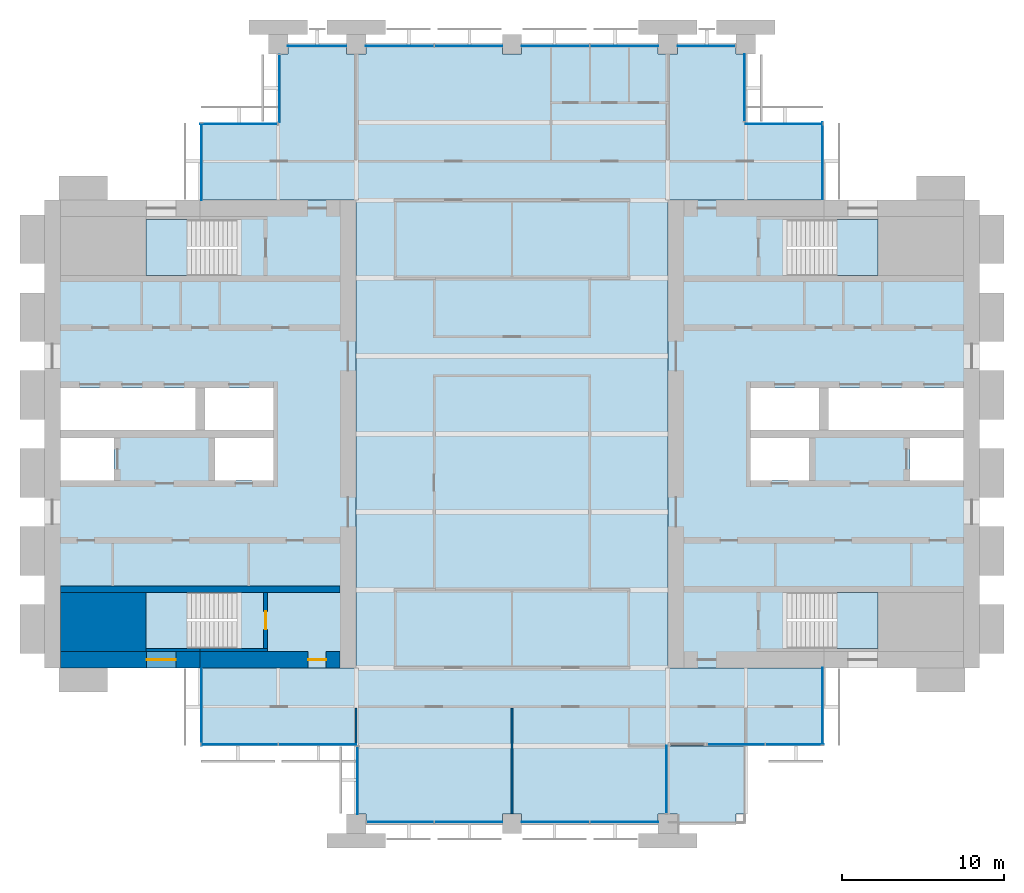
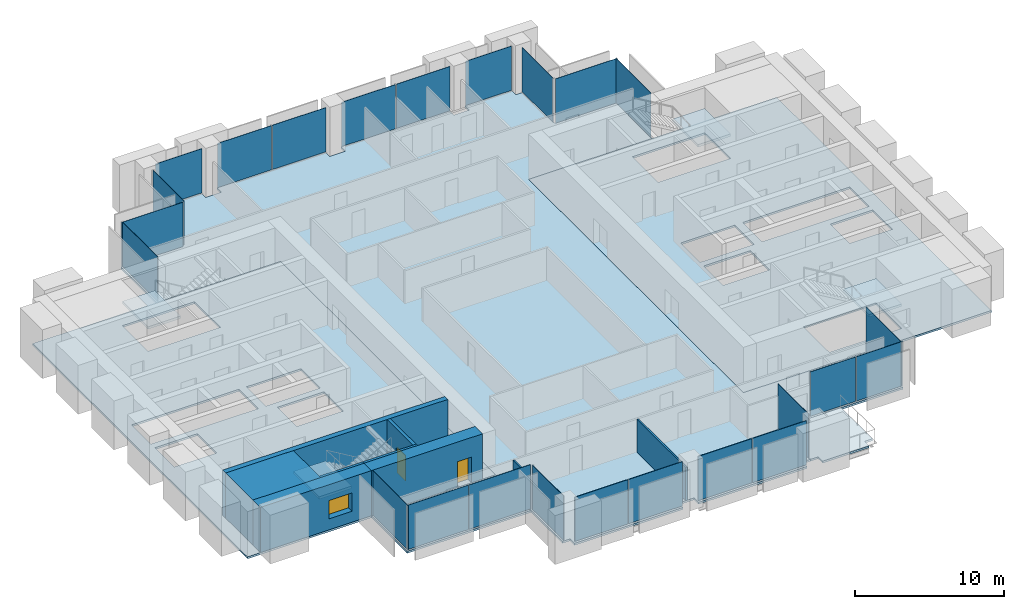
# One storey, part 7 of 13: 24 plates, 9 walls, 8 slabs, 2 doors, 1 window, 3 openings, 18 elements without a shape of their own.
"""IFC4 building model written with IfcOpenShell, lengths in metres."""

from ifc_helpers import new_model, si_unit, direction, frame, frame_2d, origin, origin_2d, place, context, subcontext, project, spatial, polyline, rectangle, outline, extrude, material, layer, layer_set, type_object, element, fill, aggregate, save


model = new_model("IFC4")

# Units and contexts
model_context = context("Model", 3, precision=1e-05, world=origin(), true_north=direction((0.0, 1.0)))
body_context = subcontext(model_context, "Body", "Model", "MODEL_VIEW")
ifc_project = project(units=[si_unit("LENGTHUNIT", "METRE"), si_unit("AREAUNIT", "SQUARE_METRE"), si_unit("VOLUMEUNIT", "CUBIC_METRE"), si_unit("PLANEANGLEUNIT", "RADIAN"), si_unit("MASSUNIT", "GRAM", prefix="KILO")], contexts=[model_context])

# Site, building, storey
site_placement = place(None, origin())
site = spatial("IfcSite", under=ifc_project, at=site_placement, CompositionType="ELEMENT")
building_placement = place(site_placement, origin())
building = spatial("IfcBuilding", under=site, at=building_placement, Name="Baori Bourse Tower", CompositionType="ELEMENT")
storey_placement = place(building_placement, frame((0.0, 0.0, 172.10009765625)))
storey = spatial("IfcBuildingStorey", under=building, at=storey_placement, Name="L38", CompositionType="ELEMENT", Elevation=172.10009765625)

# Curtain wall, plates
ifc_material_1 = material(Name="Pale anodised aluminium", Category="aluminium")
curtain_wall_type_1 = type_object("IfcCurtainWallType", Name="CW1 Curtain wall", PredefinedType="NOTDEFINED", material=ifc_material_1)
curtain_wall_1_placement = place(storey_placement, origin())
curtain_wall_1 = element("IfcCurtainWall", 1, at=curtain_wall_1_placement, inside=storey, type_object=curtain_wall_type_1, Name="Curtain wall CW1 L38 4", PredefinedType="NOTDEFINED")
ifc_material_2 = material(Name="Clear glass", Category="glass")
ifc_layer_1 = layer(ifc_material_2, 0.033935546875)
ifc_layer_set_1 = layer_set([ifc_layer_1], Name="CW1 Curtain wall panel")
plate_type_1 = type_object("IfcPlateType", Name="CW1 Curtain wall panel", PredefinedType="CURTAIN_PANEL", material=ifc_layer_set_1)
plate_1_placement = place(storey_placement, frame((40.77001953125, 47.89990234375, 0.079833984375), z_axis=(0.0, 0.0, 1.0), x_axis=(-1.0, 0.0, 0.0)))
plate_1 = element("IfcPlate", 2, at=plate_1_placement, type_object=plate_type_1, Name="Curtain wall CW1 panel", PredefinedType="CURTAIN_PANEL", context=body_context, shape_type="SweptSolid", body=[
    extrude(rectangle(XDim=3.5400390625, YDim=0.033935546875, at=origin_2d()), origin(), (0.0, 0.0, 1.0), 3.6201171875),
])
plate_2_placement = place(storey_placement, frame((35.715087890625, 47.89990234375, 0.079833984375), z_axis=(0.0, 0.0, 1.0), x_axis=(-1.0, 0.0, 0.0)))
plate_2 = element("IfcPlate", 3, at=plate_2_placement, type_object=plate_type_1, Name="Curtain wall CW1 panel", PredefinedType="CURTAIN_PANEL", context=body_context, shape_type="SweptSolid", body=[
    extrude(rectangle(XDim=4.169921875, YDim=0.033935546875, at=origin_2d()), origin(), (0.0, 0.0, 1.0), 3.6201171875),
])
plate_3_placement = place(storey_placement, frame((31.485107421875, 47.89990234375, 0.079833984375), z_axis=(0.0, 0.0, 1.0), x_axis=(-1.0, 0.0, 0.0)))
plate_3 = element("IfcPlate", 4, at=plate_3_placement, type_object=plate_type_1, Name="Curtain wall CW1 panel", PredefinedType="CURTAIN_PANEL", context=body_context, shape_type="SweptSolid", body=[
    extrude(rectangle(XDim=4.169921875, YDim=0.033935546875, at=origin_2d()), origin(), (0.0, 0.0, 1.0), 3.6201171875),
])
plate_4_placement = place(storey_placement, frame((26.114990234375, 47.89990234375, 0.079833984375), z_axis=(0.0, 0.0, 1.0), x_axis=(-1.0, 0.0, 0.0)))
plate_4 = element("IfcPlate", 5, at=plate_4_placement, type_object=plate_type_1, Name="Curtain wall CW1 panel", PredefinedType="CURTAIN_PANEL", context=body_context, shape_type="SweptSolid", body=[
    extrude(rectangle(XDim=4.169921875, YDim=0.033935546875, at=origin_2d()), origin(), (0.0, 0.0, 1.0), 3.6201171875),
])
plate_5_placement = place(storey_placement, frame((21.885009765625, 47.89990234375, 0.079833984375), z_axis=(0.0, 0.0, 1.0), x_axis=(-1.0, 0.0, 0.0)))
plate_5 = element("IfcPlate", 6, at=plate_5_placement, type_object=plate_type_1, Name="Curtain wall CW1 panel", PredefinedType="CURTAIN_PANEL", context=body_context, shape_type="SweptSolid", body=[
    extrude(rectangle(XDim=4.169921875, YDim=0.033935546875, at=origin_2d()), origin(), (0.0, 0.0, 1.0), 3.6201171875),
])
plate_6_placement = place(storey_placement, frame((16.800048828125, 47.89990234375, 0.079833984375), z_axis=(0.0, 0.0, 1.0), x_axis=(-1.0, 0.0, 0.0)))
plate_6 = element("IfcPlate", 7, at=plate_6_placement, type_object=plate_type_1, Name="Curtain wall CW1 panel", PredefinedType="CURTAIN_PANEL", context=body_context, shape_type="SweptSolid", body=[
    extrude(rectangle(XDim=3.60009765625, YDim=0.033935546875, at=origin_2d()), origin(), (0.0, 0.0, 1.0), 3.6201171875),
])
aggregate(curtain_wall_1, [plate_1, plate_2, plate_3, plate_4, plate_5, plate_6])

curtain_wall_2_placement = place(storey_placement, origin())
curtain_wall_2 = element("IfcCurtainWall", 8, at=curtain_wall_2_placement, inside=storey, type_object=curtain_wall_type_1, Name="Curtain wall CW1 L38 11", PredefinedType="NOTDEFINED")
plate_7_placement = place(storey_placement, frame((21.9150390625, 0.10009765625, 0.079833984375), z_axis=(0.0, 0.0, 1.0), x_axis=(1.0, 0.0, 0.0)))
plate_7 = element("IfcPlate", 9, at=plate_7_placement, type_object=plate_type_1, Name="Curtain wall CW1 panel", PredefinedType="CURTAIN_PANEL", context=body_context, shape_type="SweptSolid", body=[
    extrude(rectangle(XDim=4.110107421875, YDim=0.033935546875, at=origin_2d()), origin(), (0.0, 0.0, 1.0), 3.6201171875),
])
plate_8_placement = place(storey_placement, frame((26.114990234375, 0.10009765625, 0.079833984375), z_axis=(0.0, 0.0, 1.0), x_axis=(1.0, 0.0, 0.0)))
plate_8 = element("IfcPlate", 10, at=plate_8_placement, type_object=plate_type_1, Name="Curtain wall CW1 panel", PredefinedType="CURTAIN_PANEL", context=body_context, shape_type="SweptSolid", body=[
    extrude(rectangle(XDim=4.169921875, YDim=0.033935546875, at=origin_2d()), origin(), (0.0, 0.0, 1.0), 3.6201171875),
])
plate_9_placement = place(storey_placement, frame((31.485107421875, 0.10009765625, 0.079833984375), z_axis=(0.0, 0.0, 1.0), x_axis=(1.0, 0.0, 0.0)))
plate_9 = element("IfcPlate", 11, at=plate_9_placement, type_object=plate_type_1, Name="Curtain wall CW1 panel", PredefinedType="CURTAIN_PANEL", context=body_context, shape_type="SweptSolid", body=[
    extrude(rectangle(XDim=4.169921875, YDim=0.033935546875, at=origin_2d()), origin(), (0.0, 0.0, 1.0), 3.6201171875),
])
plate_10_placement = place(storey_placement, frame((35.715087890625, 0.10009765625, 0.079833984375), z_axis=(0.0, 0.0, 1.0), x_axis=(1.0, 0.0, 0.0)))
plate_10 = element("IfcPlate", 12, at=plate_10_placement, type_object=plate_type_1, Name="Curtain wall CW1 panel", PredefinedType="CURTAIN_PANEL", context=body_context, shape_type="SweptSolid", body=[
    extrude(rectangle(XDim=4.169921875, YDim=0.033935546875, at=origin_2d()), origin(), (0.0, 0.0, 1.0), 3.6201171875),
])
aggregate(curtain_wall_2, [plate_7, plate_8, plate_9, plate_10])

# Curtain wall, plate
ifc_material_3 = material(Name="Pale anodised aluminium", Category="aluminium")
curtain_wall_type_2 = type_object("IfcCurtainWallType", Name="CW2 Curtain wall", PredefinedType="NOTDEFINED", material=ifc_material_3)
curtain_wall_3_placement = place(storey_placement, origin())
curtain_wall_3 = element("IfcCurtainWall", 13, at=curtain_wall_3_placement, inside=storey, type_object=curtain_wall_type_2, Name="Curtain wall CW2 L38 1", PredefinedType="NOTDEFINED")
ifc_material_4 = material(Name="Clear glass", Category="glass")
ifc_layer_2 = layer(ifc_material_4, 0.030029296875)
ifc_layer_set_2 = layer_set([ifc_layer_2], Name="CW2 Curtain wall panel")
plate_type_2 = type_object("IfcPlateType", Name="CW2 Curtain wall panel", PredefinedType="CURTAIN_PANEL", material=ifc_layer_set_2)
plate_11_placement = place(storey_placement, frame((47.909912109375, 40.827392578125, 0.070068359375), z_axis=(0.0, 0.0, 1.0), x_axis=(0.0, 1.0, 0.0)))
plate_11 = element("IfcPlate", 14, at=plate_11_placement, type_object=plate_type_2, Name="Curtain wall CW2 panel", PredefinedType="CURTAIN_PANEL", context=body_context, shape_type="SweptSolid", body=[
    extrude(rectangle(XDim=4.7451171875, YDim=0.030029296875, at=origin_2d()), origin(), (0.0, 0.0, 1.0), 3.6298828125),
])
aggregate(curtain_wall_3, [plate_11])

curtain_wall_4_placement = place(storey_placement, origin())
curtain_wall_4 = element("IfcCurtainWall", 15, at=curtain_wall_4_placement, inside=storey, type_object=curtain_wall_type_2, Name="Curtain wall CW2 L38 2", PredefinedType="NOTDEFINED")
plate_12_placement = place(storey_placement, frame((45.572509765625, 43.110107421875, 0.070068359375), z_axis=(0.0, 0.0, 1.0), x_axis=(-1.0, 0.0, 0.0)))
plate_12 = element("IfcPlate", 16, at=plate_12_placement, type_object=plate_type_2, Name="Curtain wall CW2 panel", PredefinedType="CURTAIN_PANEL", context=body_context, shape_type="SweptSolid", body=[
    extrude(rectangle(XDim=4.7451171875, YDim=0.030029296875, at=origin_2d()), origin(), (0.0, 0.0, 1.0), 3.6298828125),
])
aggregate(curtain_wall_4, [plate_12])

curtain_wall_5_placement = place(storey_placement, origin())
curtain_wall_5 = element("IfcCurtainWall", 17, at=curtain_wall_5_placement, inside=storey, type_object=curtain_wall_type_2, Name="Curtain wall CW2 L38 3", PredefinedType="NOTDEFINED")
plate_13_placement = place(storey_placement, frame((43.110107421875, 45.327392578125, 0.070068359375), z_axis=(0.0, 0.0, 1.0), x_axis=(0.0, 1.0, 0.0)))
plate_13 = element("IfcPlate", 18, at=plate_13_placement, type_object=plate_type_2, Name="Curtain wall CW2 panel", PredefinedType="CURTAIN_PANEL", context=body_context, shape_type="SweptSolid", body=[
    extrude(rectangle(XDim=4.14501953125, YDim=0.030029296875, at=origin_2d()), origin(), (0.0, 0.0, 1.0), 3.6298828125),
])
aggregate(curtain_wall_5, [plate_13])

curtain_wall_6_placement = place(storey_placement, origin())
curtain_wall_6 = element("IfcCurtainWall", 19, at=curtain_wall_6_placement, inside=storey, type_object=curtain_wall_type_2, Name="Curtain wall CW2 L38 5", PredefinedType="NOTDEFINED")
plate_14_placement = place(storey_placement, frame((14.489990234375, 45.2724609375, 0.070068359375), z_axis=(0.0, 0.0, 1.0), x_axis=(0.0, -1.0, 0.0)))
plate_14 = element("IfcPlate", 20, at=plate_14_placement, type_object=plate_type_2, Name="Curtain wall CW2 panel", PredefinedType="CURTAIN_PANEL", context=body_context, shape_type="SweptSolid", body=[
    extrude(rectangle(XDim=4.14501953125, YDim=0.030029296875, at=origin_2d()), origin(), (0.0, 0.0, 1.0), 3.6298828125),
])
aggregate(curtain_wall_6, [plate_14])

curtain_wall_7_placement = place(storey_placement, origin())
curtain_wall_7 = element("IfcCurtainWall", 21, at=curtain_wall_7_placement, inside=storey, type_object=curtain_wall_type_2, Name="Curtain wall CW2 L38 6", PredefinedType="NOTDEFINED")
plate_15_placement = place(storey_placement, frame((11.972412109375, 43.110107421875, 0.070068359375), z_axis=(0.0, 0.0, 1.0), x_axis=(-1.0, 0.0, 0.0)))
plate_15 = element("IfcPlate", 22, at=plate_15_placement, type_object=plate_type_2, Name="Curtain wall CW2 panel", PredefinedType="CURTAIN_PANEL", context=body_context, shape_type="SweptSolid", body=[
    extrude(rectangle(XDim=4.7451171875, YDim=0.030029296875, at=origin_2d()), origin(), (0.0, 0.0, 1.0), 3.6298828125),
])
aggregate(curtain_wall_7, [plate_15])

curtain_wall_8_placement = place(storey_placement, origin())
curtain_wall_8 = element("IfcCurtainWall", 23, at=curtain_wall_8_placement, inside=storey, type_object=curtain_wall_type_2, Name="Curtain wall CW2 L38 7", PredefinedType="NOTDEFINED")
plate_16_placement = place(storey_placement, frame((9.68994140625, 40.7724609375, 0.070068359375), z_axis=(0.0, 0.0, 1.0), x_axis=(0.0, -1.0, 0.0)))
plate_16 = element("IfcPlate", 24, at=plate_16_placement, type_object=plate_type_2, Name="Curtain wall CW2 panel", PredefinedType="CURTAIN_PANEL", context=body_context, shape_type="SweptSolid", body=[
    extrude(rectangle(XDim=4.7451171875, YDim=0.030029296875, at=origin_2d()), origin(), (0.0, 0.0, 1.0), 3.6298828125),
])
aggregate(curtain_wall_8, [plate_16])

curtain_wall_9_placement = place(storey_placement, origin())
curtain_wall_9 = element("IfcCurtainWall", 25, at=curtain_wall_9_placement, inside=storey, type_object=curtain_wall_type_2, Name="Curtain wall CW2 L38 8", PredefinedType="NOTDEFINED")
plate_17_placement = place(storey_placement, frame((9.68994140625, 7.172607421875, 0.070068359375), z_axis=(0.0, 0.0, 1.0), x_axis=(0.0, -1.0, 0.0)))
plate_17 = element("IfcPlate", 26, at=plate_17_placement, type_object=plate_type_2, Name="Curtain wall CW2 panel", PredefinedType="CURTAIN_PANEL", context=body_context, shape_type="SweptSolid", body=[
    extrude(rectangle(XDim=4.7451171875, YDim=0.030029296875, at=origin_2d()), origin(), (0.0, 0.0, 1.0), 3.6298828125),
])
aggregate(curtain_wall_9, [plate_17])

# Curtain wall, plates
curtain_wall_10_placement = place(storey_placement, origin())
curtain_wall_10 = element("IfcCurtainWall", 27, at=curtain_wall_10_placement, inside=storey, type_object=curtain_wall_type_2, Name="Curtain wall CW2 L38 9", PredefinedType="NOTDEFINED")
plate_18_placement = place(storey_placement, frame((12.013671875, 4.889892578125, 0.070068359375), z_axis=(0.0, 0.0, 1.0), x_axis=(1.0, 0.0, 0.0)))
plate_18 = element("IfcPlate", 28, at=plate_18_placement, type_object=plate_type_2, Name="Curtain wall CW2 panel", PredefinedType="CURTAIN_PANEL", context=body_context, shape_type="SweptSolid", body=[
    extrude(rectangle(XDim=4.717529296875, YDim=0.030029296875, at=origin_2d()), origin(), (0.0, 0.0, 1.0), 3.6298828125),
])
plate_19_placement = place(storey_placement, frame((16.813720703125, 4.889892578125, 0.070068359375), z_axis=(0.0, 0.0, 1.0), x_axis=(1.0, 0.0, 0.0)))
plate_19 = element("IfcPlate", 29, at=plate_19_placement, type_object=plate_type_2, Name="Curtain wall CW2 panel", PredefinedType="CURTAIN_PANEL", context=body_context, shape_type="SweptSolid", body=[
    extrude(rectangle(XDim=4.7724609375, YDim=0.030029296875, at=origin_2d()), origin(), (0.0, 0.0, 1.0), 3.6298828125),
])
aggregate(curtain_wall_10, [plate_18, plate_19])

# Curtain wall, plate
curtain_wall_11_placement = place(storey_placement, origin())
curtain_wall_11 = element("IfcCurtainWall", 30, at=curtain_wall_11_placement, inside=storey, type_object=curtain_wall_type_2, Name="Curtain wall CW2 L38 10", PredefinedType="NOTDEFINED")
plate_20_placement = place(storey_placement, frame((19.2900390625, 2.672607421875, 0.070068359375), z_axis=(0.0, 0.0, 1.0), x_axis=(0.0, -1.0, 0.0)))
plate_20 = element("IfcPlate", 31, at=plate_20_placement, type_object=plate_type_2, Name="Curtain wall CW2 panel", PredefinedType="CURTAIN_PANEL", context=body_context, shape_type="SweptSolid", body=[
    extrude(rectangle(XDim=4.14501953125, YDim=0.030029296875, at=origin_2d()), origin(), (0.0, 0.0, 1.0), 3.6298828125),
])
aggregate(curtain_wall_11, [plate_20])

curtain_wall_12_placement = place(storey_placement, origin())
curtain_wall_12 = element("IfcCurtainWall", 32, at=curtain_wall_12_placement, inside=storey, type_object=curtain_wall_type_2, Name="Curtain wall CW2 L38 12", PredefinedType="NOTDEFINED")
plate_21_placement = place(storey_placement, frame((38.31005859375, 2.7275390625, 0.070068359375), z_axis=(0.0, 0.0, 1.0), x_axis=(0.0, 1.0, 0.0)))
plate_21 = element("IfcPlate", 33, at=plate_21_placement, type_object=plate_type_2, Name="Curtain wall CW2 panel", PredefinedType="CURTAIN_PANEL", context=body_context, shape_type="SweptSolid", body=[
    extrude(rectangle(XDim=4.14501953125, YDim=0.030029296875, at=origin_2d()), origin(), (0.0, 0.0, 1.0), 3.6298828125),
])
aggregate(curtain_wall_12, [plate_21])

# Curtain wall, plates
curtain_wall_13_placement = place(storey_placement, origin())
curtain_wall_13 = element("IfcCurtainWall", 34, at=curtain_wall_13_placement, inside=storey, type_object=curtain_wall_type_2, Name="Curtain wall CW2 L38 13", PredefinedType="NOTDEFINED")
plate_22_placement = place(storey_placement, frame((42.61376953125, 4.889892578125, 0.070068359375), z_axis=(0.0, 0.0, 1.0), x_axis=(1.0, 0.0, 0.0)))
plate_22 = element("IfcPlate", 35, at=plate_22_placement, type_object=plate_type_2, Name="Curtain wall CW2 panel", PredefinedType="CURTAIN_PANEL", context=body_context, shape_type="SweptSolid", body=[
    extrude(rectangle(XDim=3.517578125, YDim=0.030029296875, at=origin_2d()), origin(), (0.0, 0.0, 1.0), 3.6298828125),
])
plate_23_placement = place(storey_placement, frame((46.2138671875, 4.889892578125, 0.070068359375), z_axis=(0.0, 0.0, 1.0), x_axis=(1.0, 0.0, 0.0)))
plate_23 = element("IfcPlate", 36, at=plate_23_placement, type_object=plate_type_2, Name="Curtain wall CW2 panel", PredefinedType="CURTAIN_PANEL", context=body_context, shape_type="SweptSolid", body=[
    extrude(rectangle(XDim=3.572509765625, YDim=0.030029296875, at=origin_2d()), origin(), (0.0, 0.0, 1.0), 3.6298828125),
])
aggregate(curtain_wall_13, [plate_22, plate_23])

# Curtain wall, plate
curtain_wall_14_placement = place(storey_placement, origin())
curtain_wall_14 = element("IfcCurtainWall", 37, at=curtain_wall_14_placement, inside=storey, type_object=curtain_wall_type_2, Name="Curtain wall CW2 L38 14", PredefinedType="NOTDEFINED")
plate_24_placement = place(storey_placement, frame((47.909912109375, 7.2275390625, 0.070068359375), z_axis=(0.0, 0.0, 1.0), x_axis=(0.0, 1.0, 0.0)))
plate_24 = element("IfcPlate", 38, at=plate_24_placement, type_object=plate_type_2, Name="Curtain wall CW2 panel", PredefinedType="CURTAIN_PANEL", context=body_context, shape_type="SweptSolid", body=[
    extrude(rectangle(XDim=4.7451171875, YDim=0.030029296875, at=origin_2d()), origin(), (0.0, 0.0, 1.0), 3.6298828125),
])
aggregate(curtain_wall_14, [plate_24])

# Slabs
ifc_material_5 = material(Name="Concrete f'c 50 MPa", Category="concrete")
ifc_layer_3 = layer(ifc_material_5, 0.159912109375)
ifc_layer_set_3 = layer_set([ifc_layer_3], Name="Core slab 160")
slab_type_1 = type_object("IfcSlabType", Name="Core slab 160", PredefinedType="FLOOR", material=ifc_layer_set_3)
slab_1_placement = place(storey_placement, frame((0.0, 0.0, -0.16015625)))
element("IfcSlab", 39, at=slab_1_placement, inside=storey, type_object=slab_type_1, Name="Core floor slab W01", PredefinedType="FLOOR", context=body_context, shape_type="SweptSolid", body=[
    extrude(outline(polyline([(0.0, 38.39990234375), (0.0, 9.60009765625), (19.199951171875, 9.60009765625), (19.199951171875, 38.39990234375), (0.0, 38.39990234375)]), holes=[polyline([(10.5, 21.14990234375), (10.5, 23.75), (14.10009765625, 23.75), (14.10009765625, 21.14990234375), (10.5, 21.14990234375)]), polyline([(14.10009765625, 24.25), (9.89990234375, 24.25), (9.89990234375, 26.85009765625), (14.10009765625, 26.85009765625), (14.10009765625, 24.25)]), polyline([(6.25, 14.25), (11.84912109375, 14.25), (11.84912109375, 10.800048828125), (6.25, 10.800048828125), (6.25, 14.25)]), polyline([(11.84912109375, 37.199951171875), (11.84912109375, 33.75), (6.25, 33.75), (6.25, 37.199951171875), (11.84912109375, 37.199951171875)]), polyline([(1.0, 26.85009765625), (9.300048828125, 26.85009765625), (9.300048828125, 24.25), (1.0, 24.25), (1.0, 26.85009765625)]), polyline([(4.300048828125, 23.75), (4.300048828125, 21.14990234375), (1.0, 21.14990234375), (1.0, 23.75), (4.300048828125, 23.75)])]), origin(), (0.0, 0.0, 1.0), 0.16015625),
])
slab_2_placement = place(storey_placement, frame((0.0, 0.0, -0.16015625)))
element("IfcSlab", 40, at=slab_2_placement, inside=storey, type_object=slab_type_1, Name="Core floor slab E01", PredefinedType="FLOOR", context=body_context, shape_type="SweptSolid", body=[
    extrude(outline(polyline([(57.60009765625, 38.39990234375), (38.39990234375, 38.39990234375), (38.39990234375, 9.60009765625), (57.60009765625, 9.60009765625), (57.60009765625, 38.39990234375)]), holes=[polyline([(56.60009765625, 21.14990234375), (53.300048828125, 21.14990234375), (53.300048828125, 23.75), (56.60009765625, 23.75), (56.60009765625, 21.14990234375)]), polyline([(56.60009765625, 26.85009765625), (56.60009765625, 24.25), (48.300048828125, 24.25), (48.300048828125, 26.85009765625), (56.60009765625, 26.85009765625)]), polyline([(45.750732421875, 14.25), (51.35009765625, 14.25), (51.35009765625, 10.800048828125), (45.750732421875, 10.800048828125), (45.750732421875, 14.25)]), polyline([(51.35009765625, 37.199951171875), (51.35009765625, 33.75), (45.750732421875, 33.75), (45.750732421875, 37.199951171875), (51.35009765625, 37.199951171875)]), polyline([(43.5, 24.25), (43.5, 26.85009765625), (47.699951171875, 26.85009765625), (47.699951171875, 24.25), (43.5, 24.25)]), polyline([(43.5, 23.75), (47.10009765625, 23.75), (47.10009765625, 21.14990234375), (43.5, 21.14990234375), (43.5, 23.75)])]), origin(), (0.0, 0.0, 1.0), 0.16015625),
])

# Stair, slab
ifc_material_6 = material(Name="Concrete f'c 50 MPa", Category="concrete")
stair_type = type_object("IfcStairType", Name="Core stair", PredefinedType="HALF_TURN_STAIR", material=ifc_material_6)
stair_1_placement = place(storey_placement, origin())
stair_1 = element("IfcStair", 41, at=stair_1_placement, inside=storey, type_object=stair_type, Name="L38 Stair WA", PredefinedType="HALF_TURN_STAIR")
ifc_material_7 = material(Name="Concrete f'c 50 MPa", Category="concrete")
slab_type_2 = type_object("IfcSlabType", Name="Core stair landing", PredefinedType="LANDING", material=ifc_material_7)
slab_3_placement = place(storey_placement, frame((0.0, 0.0, 1.7998046875)))
slab_3 = element("IfcSlab", 42, at=slab_3_placement, type_object=slab_type_2, Name="ST1 landing 1", PredefinedType="LANDING", context=body_context, shape_type="SweptSolid", body=[
    extrude(outline(polyline([(8.77001953125, 14.25), (6.25, 14.25), (6.25, 10.800048828125), (8.77001953125, 10.800048828125), (8.77001953125, 14.25)])), origin(), (0.0, 0.0, 1.0), 0.2001953125),
])
aggregate(stair_1, [slab_3])

stair_2_placement = place(storey_placement, origin())
stair_2 = element("IfcStair", 43, at=stair_2_placement, inside=storey, type_object=stair_type, Name="L38 Stair WB", PredefinedType="HALF_TURN_STAIR")
slab_4_placement = place(storey_placement, frame((0.0, 0.0, 1.7998046875)))
slab_4 = element("IfcSlab", 44, at=slab_4_placement, type_object=slab_type_2, Name="ST2 landing 1", PredefinedType="LANDING", context=body_context, shape_type="SweptSolid", body=[
    extrude(outline(polyline([(8.77001953125, 37.199951171875), (6.25, 37.199951171875), (6.25, 33.75), (8.77001953125, 33.75), (8.77001953125, 37.199951171875)])), origin(), (0.0, 0.0, 1.0), 0.2001953125),
])
aggregate(stair_2, [slab_4])

stair_3_placement = place(storey_placement, origin())
stair_3 = element("IfcStair", 45, at=stair_3_placement, inside=storey, type_object=stair_type, Name="L38 Stair EA", PredefinedType="HALF_TURN_STAIR")
slab_5_placement = place(storey_placement, frame((0.0, 0.0, 1.7998046875)))
slab_5 = element("IfcSlab", 46, at=slab_5_placement, type_object=slab_type_2, Name="ST3 landing 1", PredefinedType="LANDING", context=body_context, shape_type="SweptSolid", body=[
    extrude(outline(polyline([(48.830078125, 10.800048828125), (51.35009765625, 10.800048828125), (51.35009765625, 14.25), (48.830078125, 14.25), (48.830078125, 10.800048828125)])), origin(), (0.0, 0.0, 1.0), 0.2001953125),
])
aggregate(stair_3, [slab_5])

stair_4_placement = place(storey_placement, origin())
stair_4 = element("IfcStair", 47, at=stair_4_placement, inside=storey, type_object=stair_type, Name="L38 Stair EB", PredefinedType="HALF_TURN_STAIR")
slab_6_placement = place(storey_placement, frame((0.0, 0.0, 1.7998046875)))
slab_6 = element("IfcSlab", 48, at=slab_6_placement, type_object=slab_type_2, Name="ST4 landing 1", PredefinedType="LANDING", context=body_context, shape_type="SweptSolid", body=[
    extrude(outline(polyline([(48.830078125, 33.75), (51.35009765625, 33.75), (51.35009765625, 37.199951171875), (48.830078125, 37.199951171875), (48.830078125, 33.75)])), origin(), (0.0, 0.0, 1.0), 0.2001953125),
])
aggregate(stair_4, [slab_6])

# Slabs
ifc_material_8 = material(Name="Concrete f'c 40 MPa", Category="concrete")
ifc_layer_4 = layer(ifc_material_8, 0.159912109375)
ifc_layer_set_4 = layer_set([ifc_layer_4], Name="Floor slab 160")
slab_type_3 = type_object("IfcSlabType", Name="Floor slab 160", PredefinedType="FLOOR", material=ifc_layer_set_4)
slab_7_placement = place(storey_placement, frame((0.0, 0.0, -0.16015625)))
element("IfcSlab", 49, at=slab_7_placement, inside=storey, type_object=slab_type_3, Name="Floor slab L38", PredefinedType="FLOOR", context=body_context, shape_type="SweptSolid", body=[
    extrude(outline(polyline([(19.199951171875, 4.800048828125), (9.60009765625, 4.800048828125), (9.60009765625, 9.60009765625), (19.199951171875, 9.60009765625), (19.199951171875, 38.39990234375), (9.60009765625, 38.39990234375), (9.60009765625, 43.199951171875), (14.39990234375, 43.199951171875), (14.39990234375, 47.39990234375), (15.0, 47.39990234375), (15.0, 48.0), (18.60009765625, 48.0), (18.60009765625, 47.39990234375), (19.800048828125, 47.39990234375), (19.800048828125, 48.0), (28.199951171875, 48.0), (28.199951171875, 47.39990234375), (29.39990234375, 47.39990234375), (29.39990234375, 48.0), (37.800048828125, 48.0), (37.800048828125, 47.39990234375), (39.0, 47.39990234375), (39.0, 48.0), (42.60009765625, 48.0), (42.60009765625, 47.39990234375), (43.199951171875, 47.39990234375), (43.199951171875, 43.199951171875), (48.0, 43.199951171875), (48.0, 38.39990234375), (38.39990234375, 38.39990234375), (38.39990234375, 9.60009765625), (48.0, 9.60009765625), (48.0, 4.800048828125), (38.39990234375, 4.800048828125), (38.39990234375, 0.60009765625), (37.800048828125, 0.60009765625), (37.800048828125, 0.0), (29.39990234375, 0.0), (29.39990234375, 0.60009765625), (28.199951171875, 0.60009765625), (28.199951171875, 0.0), (19.800048828125, 0.0), (19.800048828125, 0.60009765625), (19.199951171875, 0.60009765625), (19.199951171875, 4.800048828125)])), origin(), (0.0, 0.0, 1.0), 0.16015625),
])
ifc_material_9 = material(Name="Concrete f'c 40 MPa", Category="concrete")
ifc_layer_5 = layer(ifc_material_9, 0.159912109375)
ifc_layer_set_5 = layer_set([ifc_layer_5], Name="Terrace slab 160")
slab_type_4 = type_object("IfcSlabType", Name="Terrace slab 160", PredefinedType="ROOF", material=ifc_layer_set_5)
slab_8_placement = place(storey_placement, frame((0.0, 0.0, -0.16015625)))
element("IfcSlab", 50, at=slab_8_placement, inside=storey, type_object=slab_type_4, Name="Terrace slab SE L38", PredefinedType="ROOF", context=body_context, shape_type="SweptSolid", body=[
    extrude(outline(polyline([(38.403076171875, 4.797119140625), (43.197021484375, 4.797119140625), (43.197021484375, 0.60009765625), (42.60009765625, 0.60009765625), (42.60009765625, 0.0029296875), (39.0, 0.0029296875), (39.0, 0.60009765625), (38.403076171875, 0.60009765625), (38.403076171875, 4.797119140625)])), origin(), (0.0, 0.0, 1.0), 0.16015625),
])

# Wall
ifc_material_10 = material(Name="Concrete f'c 60 MPa", Category="concrete")
wall_type_1 = type_object("IfcWallType", Name="Core corner block f'c 60", PredefinedType="SHEAR", material=ifc_material_10)
wall_1_placement = place(storey_placement, frame((1.0, 12.425048828125, 0.0), z_axis=(0.0, 0.0, 1.0), x_axis=(1.0, 0.0, 0.0)))
element("IfcWall", 51, at=wall_1_placement, inside=storey, type_object=wall_type_1, Name="Core wall W05", PredefinedType="SHEAR", context=body_context, shape_type="SweptSolid", body=[
    extrude(rectangle(XDim=5.25, YDim=3.64990234375, at=frame_2d((2.625, 0.0))), origin(), (0.0, 0.0, 1.0), 3.699951171875),
])

# Wall, opening, window
ifc_material_11 = material(Name="Concrete f'c 60 MPa", Category="concrete")
ifc_layer_6 = layer(ifc_material_11, 1.0)
ifc_layer_set_6 = layer_set([ifc_layer_6], Name="Core wall 1000 f'c 60")
wall_type_2 = type_object("IfcWallType", Name="Core wall 1000 f'c 60", PredefinedType="SHEAR", material=ifc_layer_set_6)
wall_2_placement = place(storey_placement, frame((9.60009765625, 10.10009765625, 0.0), z_axis=(0.0, 0.0, 1.0), x_axis=(-1.0, 0.0, 0.0)))
wall_2 = element("IfcWall", 52, at=wall_2_placement, inside=storey, type_object=wall_type_2, Name="Core wall W02", PredefinedType="SHEAR", context=body_context, shape_type="SweptSolid", body=[
    extrude(rectangle(XDim=8.60009765625, YDim=1.0, at=frame_2d((4.300048828125, 0.0))), origin(), (0.0, 0.0, 1.0), 3.699951171875),
])
opening_1_placement = place(wall_2_placement, frame((1.5, 0.0, 0.89990234375)))
opening_1 = element("IfcOpeningElement", 53, at=opening_1_placement, cuts=wall_2, Name="Opening L38-KW103", PredefinedType="OPENING", context=body_context, shape_type="SweptSolid", body=[
    extrude(rectangle(XDim=1.800048828125, YDim=1.5, at=frame_2d((0.89990234375, 0.75))), frame((0.0, 0.510009765625, 0.0), z_axis=(0.0, -1.0, 0.0), x_axis=(1.0, 0.0, 0.0)), (0.0, 0.0, 1.0), 1.02001953125),
])
ifc_material_12 = material(Name="Pale anodised aluminium", Category="aluminium")
window_type = type_object("IfcWindowType", Name="Stair window 1800 x 1500", PartitioningType="SINGLE_PANEL", PredefinedType="WINDOW", material=ifc_material_12)
window_placement = place(opening_1_placement, origin())
window = element("IfcWindow", 54, at=window_placement, inside=storey, type_object=window_type, Name="Stair window W L38 3", OverallHeight=1.5, OverallWidth=1.800048828125, PartitioningType="SINGLE_PANEL", PredefinedType="WINDOW", context=body_context, shape_type="SweptSolid", body=[
    extrude(rectangle(XDim=1.800048828125, YDim=1.5, at=frame_2d((0.89990234375, 0.75))), frame((0.0, 0.030029296875, 0.0), z_axis=(0.0, -1.0, 0.0), x_axis=(1.0, 0.0, 0.0)), (0.0, 0.0, 1.0), 0.06005859375),
])
fill(opening_1, window)

# Wall, opening, door
wall_3_placement = place(storey_placement, frame((18.199951171875, 10.10009765625, 0.0), z_axis=(0.0, 0.0, 1.0), x_axis=(-1.0, 0.0, 0.0)))
wall_3 = element("IfcWall", 55, at=wall_3_placement, inside=storey, type_object=wall_type_2, Name="Core wall W03", PredefinedType="SHEAR", context=body_context, shape_type="SweptSolid", body=[
    extrude(rectangle(XDim=8.599853515625, YDim=1.0, at=frame_2d((4.2998046875, 0.0))), origin(), (0.0, 0.0, 1.0), 3.699951171875),
])
opening_2_placement = place(wall_3_placement, frame((0.85009765625, 0.0, 0.0)))
opening_2 = element("IfcOpeningElement", 56, at=opening_2_placement, cuts=wall_3, Name="Opening L38-D102", PredefinedType="OPENING", context=body_context, shape_type="SweptSolid", body=[
    extrude(rectangle(XDim=1.10009765625, YDim=2.10009765625, at=frame_2d((0.550048828125, 1.050048828125))), frame((0.0, 0.510009765625, 0.0), z_axis=(0.0, -1.0, 0.0), x_axis=(1.0, 0.0, 0.0)), (0.0, 0.0, 1.0), 1.02001953125),
])
ifc_material_13 = material(Name="Painted steel door", Category="steel")
door_type = type_object("IfcDoorType", Name="Stair door 1100", OperationType="SINGLE_SWING_LEFT", PredefinedType="DOOR", material=ifc_material_13)
door_1_placement = place(opening_2_placement, origin())
door_1 = element("IfcDoor", 57, at=door_1_placement, inside=storey, type_object=door_type, Name="Stair vestibule door A W L38", OperationType="SINGLE_SWING_LEFT", OverallHeight=2.10009765625, OverallWidth=1.10009765625, PredefinedType="DOOR", context=body_context, shape_type="SweptSolid", body=[
    extrude(rectangle(XDim=1.10009765625, YDim=2.10009765625, at=frame_2d((0.550048828125, 1.050048828125))), frame((0.0, 0.02490234375, 0.0), z_axis=(0.0, -1.0, 0.0), x_axis=(1.0, 0.0, 0.0)), (0.0, 0.0, 1.0), 0.050048828125),
])
fill(opening_2, door_1)

# Walls
ifc_material_14 = material(Name="Gypsum board partition")
ifc_layer_7 = layer(ifc_material_14, 0.125)
ifc_layer_set_7 = layer_set([ifc_layer_7], Name="Partition 125")
wall_type_3 = type_object("IfcWallType", Name="Partition 125", PredefinedType="PARTITIONING", material=ifc_layer_set_7)
wall_4_placement = place(storey_placement, frame((19.199951171875, 4.89990234375, 0.0), z_axis=(0.0, 0.0, 1.0), x_axis=(0.0, 1.0, 0.0)))
element("IfcWall", 58, at=wall_4_placement, inside=storey, type_object=wall_type_3, Name="Partition", PredefinedType="PARTITIONING", context=body_context, shape_type="SweptSolid", body=[
    extrude(rectangle(XDim=2.22509765625, YDim=0.125, at=frame_2d((1.112548828125, 0.0))), origin(), (0.0, 0.0, 1.0), 2.709228515625),
])
wall_5_placement = place(storey_placement, frame((28.800048828125, 0.60009765625, 0.0), z_axis=(0.0, 0.0, 1.0), x_axis=(0.0, 1.0, 0.0)))
element("IfcWall", 59, at=wall_5_placement, inside=storey, type_object=wall_type_3, Name="Partition", PredefinedType="PARTITIONING", context=body_context, shape_type="SweptSolid", body=[
    extrude(rectangle(XDim=6.52490234375, YDim=0.125, at=frame_2d((3.262451171875, 0.0))), origin(), (0.0, 0.0, 1.0), 2.709228515625),
])
ifc_material_15 = material(Name="Concrete f'c 60 MPa", Category="concrete")
ifc_layer_8 = layer(ifc_material_15, 0.199951171875)
ifc_layer_set_8 = layer_set([ifc_layer_8], Name="Shaft wall 200 f'c 60")
wall_type_4 = type_object("IfcWallType", Name="Shaft wall 200 f'c 60", PredefinedType="SHEAR", material=ifc_layer_set_8)
wall_6_placement = place(storey_placement, frame((6.25, 10.699951171875, 0.0), z_axis=(0.0, 0.0, 1.0), x_axis=(1.0, 0.0, 0.0)))
element("IfcWall", 60, at=wall_6_placement, inside=storey, type_object=wall_type_4, Name="Core wall W06", PredefinedType="SHEAR", context=body_context, shape_type="SweptSolid", body=[
    extrude(rectangle(XDim=3.35009765625, YDim=0.199951171875, at=frame_2d((1.675048828125, 0.0))), origin(), (0.0, 0.0, 1.0), 3.699951171875),
])
wall_7_placement = place(storey_placement, frame((9.60009765625, 10.699951171875, 0.0), z_axis=(0.0, 0.0, 1.0), x_axis=(1.0, 0.0, 0.0)))
element("IfcWall", 61, at=wall_7_placement, inside=storey, type_object=wall_type_4, Name="Core wall W07", PredefinedType="SHEAR", context=body_context, shape_type="SweptSolid", body=[
    extrude(rectangle(XDim=4.14990234375, YDim=0.199951171875, at=frame_2d((2.074951171875, 0.0))), origin(), (0.0, 0.0, 1.0), 3.699951171875),
])

# Wall, opening, door
ifc_material_16 = material(Name="Concrete f'c 60 MPa", Category="concrete")
ifc_layer_9 = layer(ifc_material_16, 0.25)
ifc_layer_set_9 = layer_set([ifc_layer_9], Name="Shaft wall 250 f'c 60")
wall_type_5 = type_object("IfcWallType", Name="Shaft wall 250 f'c 60", PredefinedType="SHEAR", material=ifc_layer_set_9)
wall_8_placement = place(storey_placement, frame((13.625, 10.800048828125, 0.0), z_axis=(0.0, 0.0, 1.0), x_axis=(0.0, 1.0, 0.0)))
wall_8 = element("IfcWall", 62, at=wall_8_placement, inside=storey, type_object=wall_type_5, Name="Core wall W08", PredefinedType="SHEAR", context=body_context, shape_type="SweptSolid", body=[
    extrude(rectangle(XDim=3.449951171875, YDim=0.25, at=frame_2d((1.72509765625, 0.0))), origin(), (0.0, 0.0, 1.0), 3.699951171875),
])
opening_3_placement = place(wall_8_placement, frame((1.175048828125, 0.0, 0.0)))
opening_3 = element("IfcOpeningElement", 63, at=opening_3_placement, cuts=wall_8, Name="Opening L38-D101", PredefinedType="OPENING", context=body_context, shape_type="SweptSolid", body=[
    extrude(rectangle(XDim=1.10009765625, YDim=2.10009765625, at=frame_2d((0.550048828125, 1.050048828125))), frame((0.0, 0.135009765625, 0.0), z_axis=(0.0, -1.0, 0.0), x_axis=(1.0, 0.0, 0.0)), (0.0, 0.0, 1.0), 0.27001953125),
])
door_2_placement = place(opening_3_placement, origin())
door_2 = element("IfcDoor", 64, at=door_2_placement, inside=storey, type_object=door_type, Name="Stair door A W L38", OperationType="SINGLE_SWING_LEFT", OverallHeight=2.10009765625, OverallWidth=1.10009765625, PredefinedType="DOOR", context=body_context, shape_type="SweptSolid", body=[
    extrude(rectangle(XDim=1.10009765625, YDim=2.10009765625, at=frame_2d((0.550048828125, 1.050048828125))), frame((0.0, 0.02490234375, 0.0), z_axis=(0.0, -1.0, 0.0), x_axis=(1.0, 0.0, 0.0)), (0.0, 0.0, 1.0), 0.050048828125),
])
fill(opening_3, door_2)

# Wall
ifc_material_17 = material(Name="Concrete f'c 60 MPa", Category="concrete")
ifc_layer_10 = layer(ifc_material_17, 0.39990234375)
ifc_layer_set_10 = layer_set([ifc_layer_10], Name="Shaft wall 400 f'c 60")
wall_type_6 = type_object("IfcWallType", Name="Shaft wall 400 f'c 60", PredefinedType="SHEAR", material=ifc_layer_set_10)
wall_9_placement = place(storey_placement, frame((1.0, 14.449951171875, 0.0), z_axis=(0.0, 0.0, 1.0), x_axis=(1.0, 0.0, 0.0)))
element("IfcWall", 65, at=wall_9_placement, inside=storey, type_object=wall_type_6, Name="Core wall W09", PredefinedType="SHEAR", context=body_context, shape_type="SweptSolid", body=[
    extrude(rectangle(XDim=17.199951171875, YDim=0.39990234375, at=frame_2d((8.60009765625, 0.0))), origin(), (0.0, 0.0, 1.0), 3.699951171875),
])

save(model, "model.ifc")
